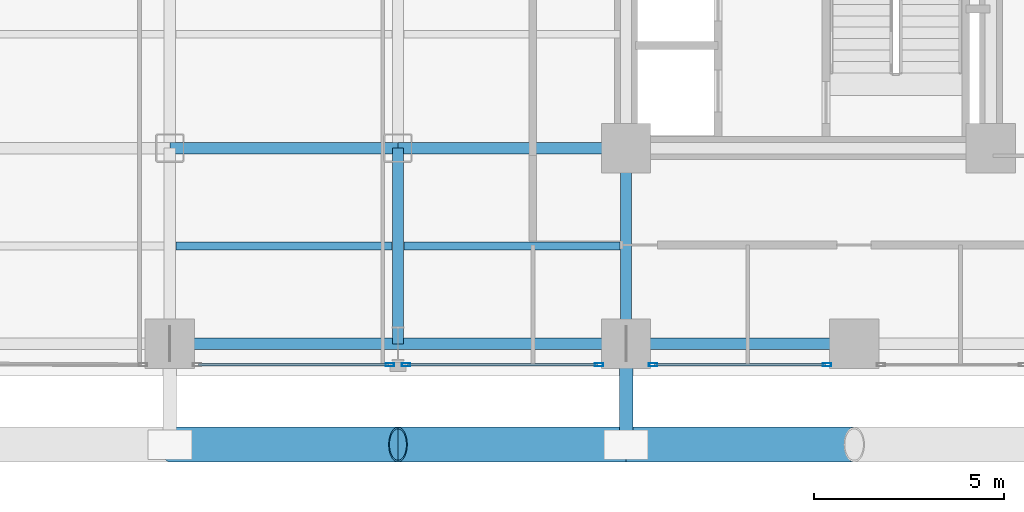
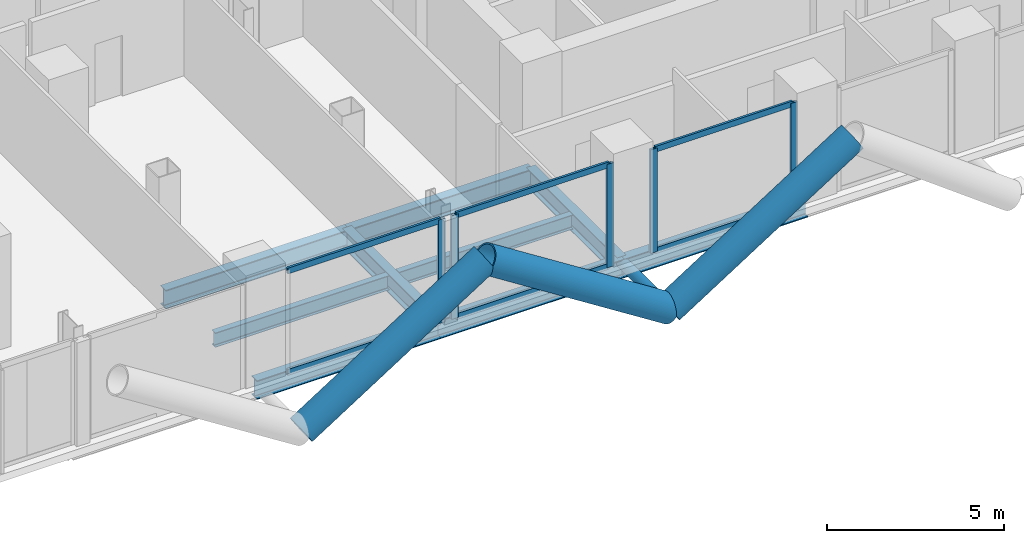
# One storey, part 3 of 27: 15 members, 9 beams, 3 elements without a shape of their own.
"""IFC4 building model written with IfcOpenShell, lengths in metres."""

from ifc_helpers import new_model, si_unit, direction, frame, origin, origin_2d, place, context, subcontext, project, spatial, hollow_rectangle, hollow_circle, i_section, extrude, material, layer, layer_set, material_profile, profile_set, type_object, element, aggregate, save


model = new_model("IFC4")

# Units and contexts
model_context = context("Model", 3, precision=1e-05, world=origin(), true_north=direction((0.0, 1.0)))
body_context = subcontext(model_context, "Body", "Model", "MODEL_VIEW")
ifc_project = project(units=[si_unit("LENGTHUNIT", "METRE"), si_unit("AREAUNIT", "SQUARE_METRE"), si_unit("VOLUMEUNIT", "CUBIC_METRE"), si_unit("PLANEANGLEUNIT", "RADIAN"), si_unit("MASSUNIT", "GRAM", prefix="KILO"), si_unit("THERMODYNAMICTEMPERATUREUNIT", "KELVIN"), si_unit("POWERUNIT", "WATT")], contexts=[model_context])

# Site, building, storey
site_placement = place(None, origin())
site = spatial("IfcSite", under=ifc_project, at=site_placement, CompositionType="ELEMENT")
building_placement = place(site_placement, origin())
building = spatial("IfcBuilding", under=site, at=building_placement, Name="Svarakhadi Broadcast Tower", CompositionType="ELEMENT")
storey_placement = place(building_placement, frame((0.0, 0.0, 90.89990234375)))
storey = spatial("IfcBuildingStorey", under=building, at=storey_placement, Name="L21", CompositionType="ELEMENT", Elevation=90.89990234375)

# Beams
ifc_material_1 = material(Name="Steel S355J2 (IS 2062 E350C)", Category="steel")
ifc_material_profile_1 = material_profile(ifc_material_1, i_section(OverallWidth=0.199951171875, OverallDepth=0.5, WebThickness=0.01025390625, FlangeThickness=0.01611328125, FilletRadius=0.02099609375, at=origin_2d()), Name="NPB 500x200x91")
ifc_profile_set_1 = profile_set([ifc_material_profile_1], Name="Steel S355J2 (IS 2062 E350C)")
beam_type_1 = type_object("IfcBeamType", Name="Beam_NPB500", PredefinedType="BEAM", material=ifc_profile_set_1)
for number, where, z_axis, x_axis, name in (
    (1, (12.159912109375, 3.425048828125, -0.5), (1.0, 0.0, 0.0), (0.0, 1.0, 0.0), "L21 Secondary Composite Beam SB013"),
    (2, (18.159912109375, 3.425048828125, -0.5), (1.0, 0.0, 0.0), (0.0, 1.0, 0.0), "L21 Secondary Composite Beam SB019"),
):
    element("IfcBeam", number, at=place(storey_placement, frame(where, z_axis=z_axis, x_axis=x_axis)), inside=storey, type_object=beam_type_1, Name=name, PredefinedType="BEAM", context=body_context, shape_type="SweptSolid", body=[
        extrude(i_section(OverallWidth=0.199951171875, OverallDepth=0.5, WebThickness=0.01025390625, FlangeThickness=0.01611328125, FilletRadius=0.02099609375, at=origin_2d()), origin(), (0.0, 0.0, 1.0), 5.68017578125),
    ])

# Curtain wall, members
ifc_material_2 = material(Name="Anodised Bronze Aluminium AA 6063-T6", Category="aluminium")
ifc_layer = layer(ifc_material_2, 0.219970703125)
ifc_layer_set = layer_set([ifc_layer], Name="Anodised Bronze Aluminium AA 6063-T6")
curtain_wall_type = type_object("IfcCurtainWallType", Name="CW_Sys_02", PredefinedType="NOTDEFINED", material=ifc_layer_set)
curtain_wall_1_placement = place(storey_placement, origin())
curtain_wall_1 = element("IfcCurtainWall", 3, at=curtain_wall_1_placement, inside=storey, type_object=curtain_wall_type, Name="L21 South Curtain Wall 17 Bay 3", PredefinedType="NOTDEFINED")
ifc_material_profile_2 = material_profile(ifc_material_2, hollow_rectangle(XDim=0.0849609375, YDim=0.219970703125, WallThickness=0.006103515625, at=origin_2d()), Name="ALU MULLION 220x85x6")
ifc_profile_set_2 = profile_set([ifc_material_profile_2], Name="Anodised Bronze Aluminium AA 6063-T6")
member_type_1 = type_object("IfcMemberType", Name="CW_Sys_02_Mul", PredefinedType="MULLION", material=ifc_profile_set_2)
member_1_placement = place(storey_placement, frame((29.28759765625, 0.300048828125, 0.0), z_axis=(0.0, 0.0, 1.0), x_axis=(0.0, -1.0, 0.0)))
member_1 = element("IfcMember", 4, at=member_1_placement, type_object=member_type_1, Name="CW-02 mullion 1", PredefinedType="MULLION", context=body_context, shape_type="SweptSolid", body=[
    extrude(hollow_rectangle(XDim=0.0849609375, YDim=0.219970703125, WallThickness=0.006103515625, at=origin_2d()), origin(), (0.0, 0.0, 1.0), 3.5751953125),
])
member_2_placement = place(storey_placement, frame((24.71240234375, 0.300048828125, 0.0), z_axis=(0.0, 0.0, 1.0), x_axis=(0.0, -1.0, 0.0)))
member_2 = element("IfcMember", 5, at=member_2_placement, type_object=member_type_1, Name="CW-02 mullion 2", PredefinedType="MULLION", context=body_context, shape_type="SweptSolid", body=[
    extrude(hollow_rectangle(XDim=0.0849609375, YDim=0.219970703125, WallThickness=0.006103515625, at=origin_2d()), origin(), (0.0, 0.0, 1.0), 3.5751953125),
])

curtain_wall_2_placement = place(storey_placement, origin())
curtain_wall_2 = element("IfcCurtainWall", 6, at=curtain_wall_2_placement, inside=storey, type_object=curtain_wall_type, Name="L21 South Curtain Wall 17 Bay 4", PredefinedType="NOTDEFINED")
member_3_placement = place(storey_placement, frame((23.28759765625, 0.300048828125, 0.0), z_axis=(0.0, 0.0, 1.0), x_axis=(0.0, -1.0, 0.0)))
member_3 = element("IfcMember", 7, at=member_3_placement, type_object=member_type_1, Name="CW-02 mullion 1", PredefinedType="MULLION", context=body_context, shape_type="SweptSolid", body=[
    extrude(hollow_rectangle(XDim=0.0849609375, YDim=0.219970703125, WallThickness=0.006103515625, at=origin_2d()), origin(), (0.0, 0.0, 1.0), 3.5751953125),
])
member_4_placement = place(storey_placement, frame((18.21240234375, 0.300048828125, 0.0), z_axis=(0.0, 0.0, 1.0), x_axis=(0.0, -1.0, 0.0)))
member_4 = element("IfcMember", 8, at=member_4_placement, type_object=member_type_1, Name="CW-02 mullion 2", PredefinedType="MULLION", context=body_context, shape_type="SweptSolid", body=[
    extrude(hollow_rectangle(XDim=0.0849609375, YDim=0.219970703125, WallThickness=0.006103515625, at=origin_2d()), origin(), (0.0, 0.0, 1.0), 3.5751953125),
])

# Curtain wall, member
curtain_wall_3_placement = place(storey_placement, origin())
curtain_wall_3 = element("IfcCurtainWall", 9, at=curtain_wall_3_placement, inside=storey, type_object=curtain_wall_type, Name="L21 South Curtain Wall 17 Bay 5", PredefinedType="NOTDEFINED")
member_5_placement = place(storey_placement, frame((17.78759765625, 0.300048828125, 0.0), z_axis=(0.0, 0.0, 1.0), x_axis=(0.0, -1.0, 0.0)))
member_5 = element("IfcMember", 10, at=member_5_placement, type_object=member_type_1, Name="CW-02 mullion 1", PredefinedType="MULLION", context=body_context, shape_type="SweptSolid", body=[
    extrude(hollow_rectangle(XDim=0.0849609375, YDim=0.219970703125, WallThickness=0.006103515625, at=origin_2d()), origin(), (0.0, 0.0, 1.0), 3.5751953125),
])

# Member
ifc_material_profile_3 = material_profile(ifc_material_2, hollow_rectangle(XDim=0.074951171875, YDim=0.199951171875, WallThickness=0.0048828125, at=origin_2d()), Name="ALU TRANSOM 200x75x5")
ifc_profile_set_3 = profile_set([ifc_material_profile_3], Name="Anodised Bronze Aluminium AA 6063-T6")
member_type_2 = type_object("IfcMemberType", Name="CW_Sys_02_Trn", PredefinedType="USERDEFINED", material=ifc_profile_set_3)
member_6_placement = place(storey_placement, frame((29.2451171875, 0.300048828125, 0.03759765625), z_axis=(-1.0, 0.0, 0.0), x_axis=(0.0, -1.0, 0.0)))
member_6 = element("IfcMember", 11, at=member_6_placement, type_object=member_type_2, Name="CW-02 transom 1.1", ObjectType="TRANSOM", PredefinedType="USERDEFINED", context=body_context, shape_type="SweptSolid", body=[
    extrude(hollow_rectangle(XDim=0.074951171875, YDim=0.199951171875, WallThickness=0.0048828125, at=origin_2d()), origin(), (0.0, 0.0, 1.0), 4.490234375),
])

member_7_placement = place(storey_placement, frame((29.2451171875, 0.300048828125, 3.53759765625), z_axis=(-1.0, 0.0, 0.0), x_axis=(0.0, -1.0, 0.0)))
member_7 = element("IfcMember", 12, at=member_7_placement, type_object=member_type_2, Name="CW-02 transom 1.2", ObjectType="TRANSOM", PredefinedType="USERDEFINED", context=body_context, shape_type="SweptSolid", body=[
    extrude(hollow_rectangle(XDim=0.074951171875, YDim=0.199951171875, WallThickness=0.0048828125, at=origin_2d()), origin(), (0.0, 0.0, 1.0), 4.490234375),
])

aggregate(curtain_wall_1, [member_1, member_2, member_6, member_7])

member_8_placement = place(storey_placement, frame((23.2451171875, 0.300048828125, 0.03759765625), z_axis=(-1.0, 0.0, 0.0), x_axis=(0.0, -1.0, 0.0)))
member_8 = element("IfcMember", 13, at=member_8_placement, type_object=member_type_2, Name="CW-02 transom 1.1", ObjectType="TRANSOM", PredefinedType="USERDEFINED", context=body_context, shape_type="SweptSolid", body=[
    extrude(hollow_rectangle(XDim=0.074951171875, YDim=0.199951171875, WallThickness=0.0048828125, at=origin_2d()), origin(), (0.0, 0.0, 1.0), 4.990234375),
])

member_9_placement = place(storey_placement, frame((23.2451171875, 0.300048828125, 3.53759765625), z_axis=(-1.0, 0.0, 0.0), x_axis=(0.0, -1.0, 0.0)))
member_9 = element("IfcMember", 14, at=member_9_placement, type_object=member_type_2, Name="CW-02 transom 1.2", ObjectType="TRANSOM", PredefinedType="USERDEFINED", context=body_context, shape_type="SweptSolid", body=[
    extrude(hollow_rectangle(XDim=0.074951171875, YDim=0.199951171875, WallThickness=0.0048828125, at=origin_2d()), origin(), (0.0, 0.0, 1.0), 4.990234375),
])

aggregate(curtain_wall_2, [member_3, member_4, member_8, member_9])

member_10_placement = place(storey_placement, frame((17.7451171875, 0.300048828125, 0.03759765625), z_axis=(-1.0, 0.0, 0.0), x_axis=(0.0, -1.0, 0.0)))
member_10 = element("IfcMember", 15, at=member_10_placement, type_object=member_type_2, Name="CW-02 transom 1.1", ObjectType="TRANSOM", PredefinedType="USERDEFINED", context=body_context, shape_type="SweptSolid", body=[
    extrude(hollow_rectangle(XDim=0.074951171875, YDim=0.199951171875, WallThickness=0.0048828125, at=origin_2d()), origin(), (0.0, 0.0, 1.0), 4.990234375),
])

member_11_placement = place(storey_placement, frame((17.7451171875, 0.300048828125, 3.53759765625), z_axis=(-1.0, 0.0, 0.0), x_axis=(0.0, -1.0, 0.0)))
member_11 = element("IfcMember", 16, at=member_11_placement, type_object=member_type_2, Name="CW-02 transom 1.2", ObjectType="TRANSOM", PredefinedType="USERDEFINED", context=body_context, shape_type="SweptSolid", body=[
    extrude(hollow_rectangle(XDim=0.074951171875, YDim=0.199951171875, WallThickness=0.0048828125, at=origin_2d()), origin(), (0.0, 0.0, 1.0), 4.990234375),
])

aggregate(curtain_wall_3, [member_5, member_10, member_11])

# Members
ifc_material_3 = material(Name="Steel S460ML (IS 2062 E450BR)", Category="steel")
ifc_material_profile_4 = material_profile(ifc_material_3, hollow_circle(Radius=0.45703125, WallThickness=0.044921875, at=origin_2d()), Name="CHS 914x45")
ifc_profile_set_4 = profile_set([ifc_material_profile_4], Name="Steel S460ML (IS 2062 E450BR)")
member_type_3 = type_object("IfcMemberType", Name="Exo_Brace_CHS914", PredefinedType="BRACE", material=ifc_profile_set_4)
for number, where, z_axis, x_axis, name in (
    (17, (12.0, -1.800048828125, -0.427734375), (0.843230308573, 0.0, 0.53755245949), (0.0, 1.0, 0.0), "L21 Exposed Bronze Exoskeleton Diagonal S02"),
    (18, (24.0, -1.800048828125, -0.427734375), (-0.843230308573, 0.0, 0.53755245949), (0.0, -1.0, 0.0), "L21 Exposed Bronze Exoskeleton Diagonal S03"),
    (19, (24.0, -1.800048828125, -0.427734375), (0.843230308573, 0.0, 0.53755245949), (0.0, 1.0, 0.0), "L21 Exposed Bronze Exoskeleton Diagonal S04"),
):
    element("IfcMember", number, at=place(storey_placement, frame(where, z_axis=z_axis, x_axis=x_axis)), inside=storey, type_object=member_type_3, Name=name, PredefinedType="BRACE", context=body_context, shape_type="SweptSolid", body=[
        extrude(hollow_circle(Radius=0.45703125, WallThickness=0.044921875, at=origin_2d()), origin(), (0.0, 0.0, 1.0), 7.115478515625),
    ])
ifc_material_profile_5 = material_profile(ifc_material_3, hollow_circle(Radius=0.177734375, WallThickness=0.02001953125, at=origin_2d()), Name="CHS 355.6x20")
ifc_profile_set_5 = profile_set([ifc_material_profile_5], Name="Steel S460ML (IS 2062 E450BR)")
member_type_4 = type_object("IfcMemberType", Name="Exo_Radial_Strut_Z1", PredefinedType="STRUT", material=ifc_profile_set_5)
member_12_placement = place(storey_placement, frame((24.0, -1.800048828125, -0.427734375), z_axis=(0.0, 1.0, 0.0), x_axis=(-1.0, 0.0, 0.0)))
element("IfcMember", 20, at=member_12_placement, inside=storey, type_object=member_type_4, Name="L21 Exoskeleton Radial Tie Strut S02", PredefinedType="STRUT", context=body_context, shape_type="SweptSolid", body=[
    extrude(hollow_circle(Radius=0.177734375, WallThickness=0.02001953125, at=origin_2d()), origin(), (0.0, 0.0, 1.0), 2.650146484375),
])

# Beams
ifc_material_profile_6 = material_profile(ifc_material_1, i_section(OverallWidth=0.300048828125, OverallDepth=0.64990234375, WebThickness=0.01611328125, FlangeThickness=0.031005859375, FilletRadius=0.027099609375, at=origin_2d()), Name="WPB 650x300x225")
ifc_profile_set_6 = profile_set([ifc_material_profile_6], Name="Steel S355J2 (IS 2062 E350C)")
beam_type_2 = type_object("IfcBeamType", Name="Girder_WPB650", PredefinedType="USERDEFINED", material=ifc_profile_set_6)
for number, where, z_axis, x_axis, name in (
    (21, (12.0, 0.85009765625, -0.574951171875), (1.0, 0.0, 0.0), (0.0, 1.0, 0.0), "L21 Primary E-W Girder G005"),
    (22, (18.0, 0.85009765625, -0.574951171875), (1.0, 0.0, 0.0), (0.0, 1.0, 0.0), "L21 Primary E-W Girder G006"),
    (23, (24.0, 0.85009765625, -0.574951171875), (1.0, 0.0, 0.0), (0.0, 1.0, 0.0), "L21 Primary E-W Girder G007"),
    (24, (12.0, 6.0, -0.574951171875), (1.0, 0.0, 0.0), (0.0, 1.0, 0.0), "L21 Primary E-W Girder G013"),
    (25, (18.0, 6.0, -0.574951171875), (1.0, 0.0, 0.0), (0.0, 1.0, 0.0), "L21 Primary E-W Girder G014"),
):
    element("IfcBeam", number, at=place(storey_placement, frame(where, z_axis=z_axis, x_axis=x_axis)), inside=storey, type_object=beam_type_2, Name=name, ObjectType="GIRDER", PredefinedType="USERDEFINED", context=body_context, shape_type="SweptSolid", body=[
        extrude(i_section(OverallWidth=0.300048828125, OverallDepth=0.64990234375, WebThickness=0.01611328125, FlangeThickness=0.031005859375, FilletRadius=0.027099609375, at=origin_2d()), origin(), (0.0, 0.0, 1.0), 6.0),
    ])
for number, where, z_axis, x_axis, name in (
    (26, (18.0, 0.85009765625, -0.574951171875), (0.0, 1.0, 0.0), (-1.0, 0.0, 0.0), "L21 Primary N-S Girder G064"),
    (27, (24.0, 0.85009765625, -0.574951171875), (0.0, 1.0, 0.0), (-1.0, 0.0, 0.0), "L21 Primary N-S Girder G071"),
):
    element("IfcBeam", number, at=place(storey_placement, frame(where, z_axis=z_axis, x_axis=x_axis)), inside=storey, type_object=beam_type_2, Name=name, ObjectType="GIRDER", PredefinedType="USERDEFINED", context=body_context, shape_type="SweptSolid", body=[
        extrude(i_section(OverallWidth=0.300048828125, OverallDepth=0.64990234375, WebThickness=0.01611328125, FlangeThickness=0.031005859375, FilletRadius=0.027099609375, at=origin_2d()), origin(), (0.0, 0.0, 1.0), 5.14990234375),
    ])

save(model, "model.ifc")
